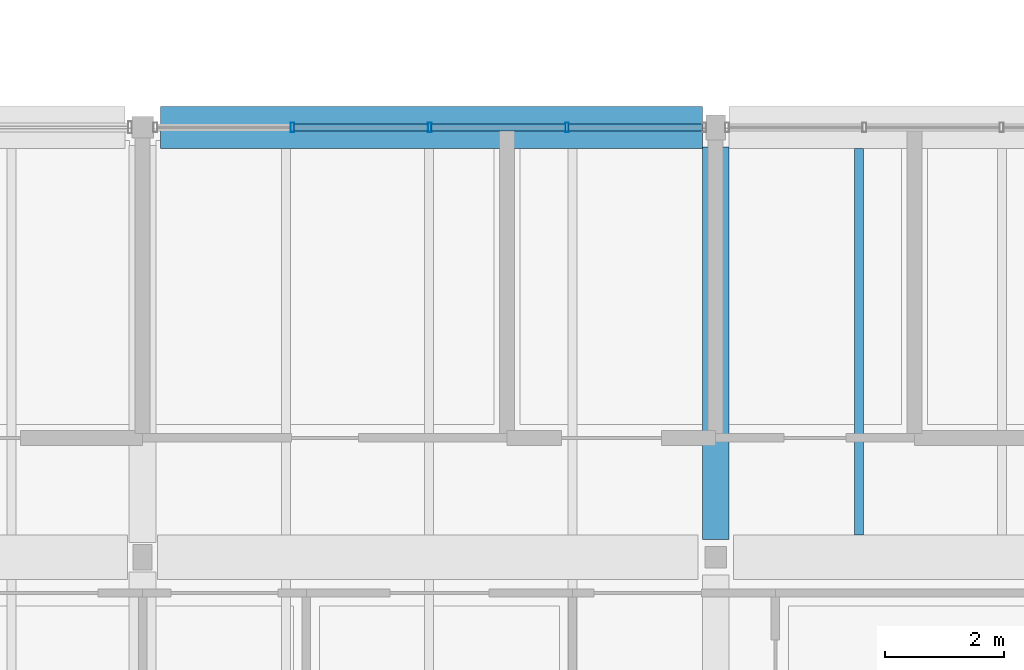
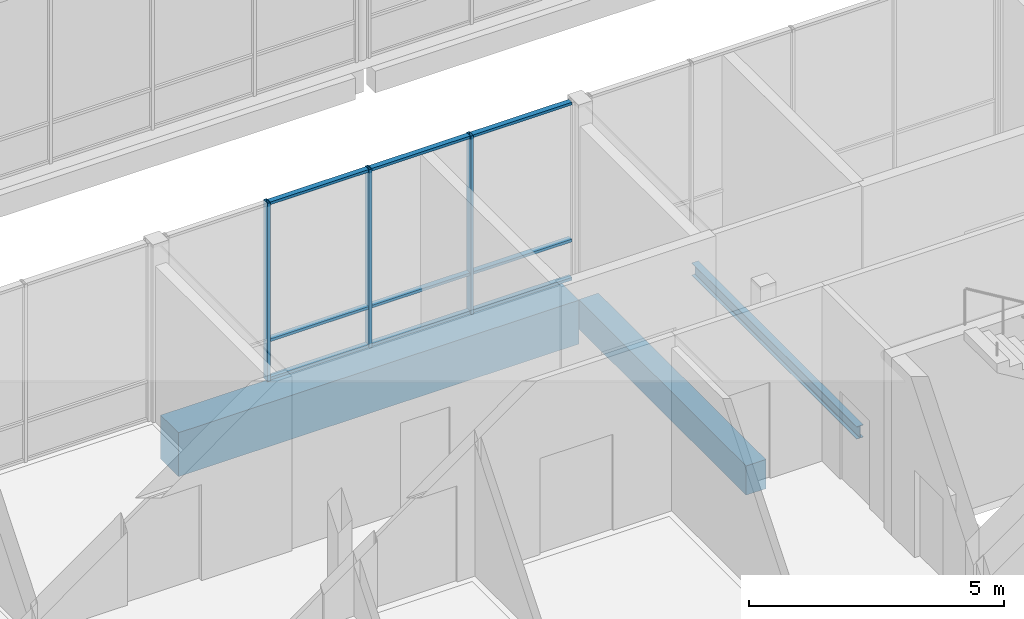
# One storey, part 62 of 146: 12 members, 3 beams, 1 element without a shape of its own.
"""IFC4 building model written with IfcOpenShell, lengths in metres."""

import ifcopenshell
import ifcopenshell.guid

model = None  # the IFC model being written
_history = None  # IfcOwnerHistory: only IFC2X3 demands one
_inside = {}  # id of a spatial element -> (the spatial element, [elements in it])
_under = {}  # id of a project, library or spatial element -> (it, [spatial elements below it])
_declared = {}  # id of a project -> (the project, [libraries it declares])
_typed = {}  # id of a type object -> (the type object, [elements of that type])
_made_of = {}  # id of a material, layer set ... -> (it, [elements and type objects made of it])


def new_model(schema):
    """Start an empty IFC model of exactly this schema.

    Asked for "IFC4X3", IfcOpenShell would pick the latest addendum, in which some entities
    have other attributes; the version numbers below select the first issue.
    IFC2X3 requires an IfcOwnerHistory on every rooted entity: one is made here for all.
    """
    global model, _history
    if schema == "IFC4X3":
        model = ifcopenshell.file(schema_version=(4, 3, 0, 0))
    else:
        model = ifcopenshell.file(schema=schema)
    _inside.clear()
    _under.clear()
    _declared.clear()
    _typed.clear()
    _made_of.clear()
    _history = None
    if model.schema == "IFC2X3":
        org = make("IfcOrganization", Name="unknown")
        user = make(
            "IfcPersonAndOrganization",
            ThePerson=make("IfcPerson", FamilyName="unknown"),
            TheOrganization=org,
        )
        app = make(
            "IfcApplication",
            ApplicationDeveloper=org,
            Version="unknown",
            ApplicationFullName="unknown",
            ApplicationIdentifier="unknown",
        )
        _history = make(
            "IfcOwnerHistory",
            OwningUser=user,
            OwningApplication=app,
            ChangeAction="ADDED",
            CreationDate=0,
        )
    return model


def make(cls, **values):
    """One entity of the class cls with the attributes given. An attribute that is None is left unset."""
    return model.create_entity(
        cls, **{name: value for name, value in values.items() if value is not None}
    )


def rooted(cls, **values):
    """An entity with a GlobalId (a new one), such as an element, a storey or a relation."""
    return make(cls, GlobalId=ifcopenshell.guid.new(), OwnerHistory=_history, **values)


def si_unit(unit_type, name, prefix=None):
    """IfcSIUnit, for example si_unit("LENGTHUNIT", "METRE", prefix="MILLI")."""
    return make("IfcSIUnit", UnitType=unit_type, Prefix=prefix, Name=name)


def assignment(units):
    """IfcUnitAssignment: the units of a project."""
    return None if units is None else make("IfcUnitAssignment", Units=units)


def point(xyz):
    """IfcCartesianPoint."""
    return None if xyz is None else make("IfcCartesianPoint", Coordinates=xyz)


def direction(xyz):
    """IfcDirection."""
    return None if xyz is None else make("IfcDirection", DirectionRatios=xyz)


def frame(location, z_axis=None, x_axis=None):
    """IfcAxis2Placement3D, a coordinate frame: its origin and axes. An axis left out is left unset."""
    return make(
        "IfcAxis2Placement3D",
        Location=point(location),
        Axis=direction(z_axis),
        RefDirection=direction(x_axis),
    )


def frame_2d(location, x_axis=None):
    """IfcAxis2Placement2D, a coordinate frame in the plane: its origin and x axis."""
    return make(
        "IfcAxis2Placement2D", Location=point(location), RefDirection=direction(x_axis)
    )


def origin():
    """The frame at (0, 0, 0) with its axes left unset."""
    return frame((0.0, 0.0, 0.0))


def origin_2d():
    """The frame at (0, 0) in the plane with its x axis left unset."""
    return frame_2d((0.0, 0.0))


def place(relative_to, where):
    """IfcLocalPlacement: puts the frame where relative to a parent placement (None: the world)."""
    return make(
        "IfcLocalPlacement", PlacementRelTo=relative_to, RelativePlacement=where
    )


def context(
    kind, dimensions, precision=None, world=None, true_north=None, identifier=None
):
    """IfcGeometricRepresentationContext, for example the 3D "Model" context."""
    return make(
        "IfcGeometricRepresentationContext",
        ContextIdentifier=identifier,
        ContextType=kind,
        CoordinateSpaceDimension=dimensions,
        Precision=precision,
        WorldCoordinateSystem=world,
        TrueNorth=true_north,
    )


def subcontext(parent, identifier, kind, view, scale=None):
    """IfcGeometricRepresentationSubContext, for example "Body" below "Model"."""
    return make(
        "IfcGeometricRepresentationSubContext",
        ContextIdentifier=identifier,
        ContextType=kind,
        ParentContext=parent,
        TargetScale=scale,
        TargetView=view,
    )


def project(units=None, contexts=None):
    """IfcProject with its units and contexts."""
    return rooted(
        "IfcProject",
        Name="project",
        RepresentationContexts=contexts,
        UnitsInContext=assignment(units),
    )


def spatial(cls, under=None, at=None, **own):
    """A site, building, storey or space (cls), placed at a placement, below another one or the project."""
    s = rooted(cls, ObjectPlacement=at, **own)
    if under is not None:
        _under.setdefault(under.id(), (under, []))[1].append(s)
    return s


def profile(cls, at=None, kind="AREA", **sizes):
    """A parametric profile (cls). Its sizes go by their IFC names, for example OverallWidth=200.0."""
    return make(cls, ProfileType=kind, Position=at, **sizes)


def rectangle(**sizes):
    """IfcRectangleProfileDef."""
    return profile("IfcRectangleProfileDef", **sizes)


def hollow_rectangle(**sizes):
    """IfcRectangleHollowProfileDef."""
    return profile("IfcRectangleHollowProfileDef", **sizes)


def i_section(**sizes):
    """IfcIShapeProfileDef."""
    return profile("IfcIShapeProfileDef", **sizes)


def extrude(swept, where, along, depth):
    """IfcExtrudedAreaSolid: the profile swept, set in the frame where, extruded along a direction by depth."""
    return make(
        "IfcExtrudedAreaSolid",
        SweptArea=swept,
        Position=where,
        ExtrudedDirection=direction(along),
        Depth=depth,
    )


def shape(context_of_items, identifier, shape_type, items):
    """IfcShapeRepresentation: the items that make up one representation, for example the "Body"."""
    return make(
        "IfcShapeRepresentation",
        ContextOfItems=context_of_items,
        RepresentationIdentifier=identifier,
        RepresentationType=shape_type,
        Items=items,
    )


def material(Name=None, Category=None):
    """IfcMaterial."""
    return make("IfcMaterial", Name=Name, Category=Category)


def material_profile(
    of_material, cross_section, Name=None, Category=None, Priority=None
):
    """IfcMaterialProfile: a cross section and its material."""
    return make(
        "IfcMaterialProfile",
        Name=Name,
        Material=of_material,
        Profile=cross_section,
        Priority=Priority,
        Category=Category,
    )


def profile_set(profiles, Name=None, composite=None):
    """IfcMaterialProfileSet."""
    return make(
        "IfcMaterialProfileSet",
        Name=Name,
        MaterialProfiles=profiles,
        CompositeProfile=composite,
    )


def made_of(thing, what):
    """Note that an element or type object is made of a material, layer set ...; save() writes the relation."""
    if what is not None:
        _made_of.setdefault(what.id(), (what, []))[1].append(thing)
    return thing


def type_object(cls, material=None, **own):
    """A type object (cls), such as IfcWallType, which elements share."""
    return made_of(rooted(cls, **own), material)


def element(
    cls,
    number,
    at=None,
    inside=None,
    cuts=None,
    type_object=None,
    material=None,
    context=None,
    identifier="Body",
    shape_type=None,
    held_by="IfcProductDefinitionShape",
    body=None,
    shapes=None,
    **own,
):
    """One element of the class cls, such as IfcWall. Its Tag is "e" and its number.

    at: its placement. inside: the storey or other place that contains it. cuts: it is an
    opening in that element (IfcRelVoidsElement). A single representation is given by context,
    identifier, shape_type and body (its items); several are given by shapes. held_by: the class
    of the entity that holds the representations. save() writes the other relations.
    """
    e = rooted(cls, Tag="e%d" % number, ObjectPlacement=at, **own)
    if body is not None:
        shapes = [shape(context, identifier, shape_type, body)]
    if shapes is not None:
        e.Representation = make(held_by, Representations=shapes)
    if inside is not None:
        _inside.setdefault(inside.id(), (inside, []))[1].append(e)
    if cuts is not None:
        rooted(
            "IfcRelVoidsElement", RelatingBuildingElement=cuts, RelatedOpeningElement=e
        )
    if type_object is not None:
        _typed.setdefault(type_object.id(), (type_object, []))[1].append(e)
    return made_of(e, material)


def aggregate(whole, parts):
    """IfcRelAggregates: a whole, such as a stair, and the parts it consists of."""
    return rooted("IfcRelAggregates", RelatingObject=whole, RelatedObjects=parts)


def save(model, path):
    """Write the relations noted so far, then the file.

    IfcRelAggregates (storeys below a building ...), IfcRelContainedInSpatialStructure (elements
    in a storey), IfcRelDefinesByType, IfcRelAssociatesMaterial and IfcRelDeclares: one each for
    every whole, place, type object, material and project.
    """
    for whole, parts in _under.values():
        aggregate(whole, parts)
    for where, things in _inside.values():
        rooted(
            "IfcRelContainedInSpatialStructure",
            RelatedElements=things,
            RelatingStructure=where,
        )
    for kind, things in _typed.values():
        rooted("IfcRelDefinesByType", RelatedObjects=things, RelatingType=kind)
    for what, things in _made_of.values():
        rooted("IfcRelAssociatesMaterial", RelatedObjects=things, RelatingMaterial=what)
    for by, libraries in _declared.values():
        rooted("IfcRelDeclares", RelatingContext=by, RelatedDefinitions=libraries)
    model.write(path)


model = new_model("IFC4")

# Units and contexts
model_context = context("Model", 3, precision=1e-05, world=origin(), true_north=direction((0.0, 1.0)))
body_context = subcontext(model_context, "Body", "Model", "MODEL_VIEW")
ifc_project = project(units=[si_unit("LENGTHUNIT", "METRE"), si_unit("AREAUNIT", "SQUARE_METRE"), si_unit("VOLUMEUNIT", "CUBIC_METRE"), si_unit("PLANEANGLEUNIT", "RADIAN"), si_unit("MASSUNIT", "GRAM", prefix="KILO")], contexts=[model_context])

# Site, building, storey
site_placement = place(None, origin())
site = spatial("IfcSite", under=ifc_project, at=site_placement, CompositionType="ELEMENT")
building_placement = place(site_placement, origin())
building = spatial("IfcBuilding", under=site, at=building_placement, Name="Hawrajan Terrace Health Centre", CompositionType="ELEMENT")
storey_placement = place(building_placement, frame((0.0, 0.0, 4.5)))
storey = spatial("IfcBuildingStorey", under=building, at=storey_placement, Name="L01", CompositionType="ELEMENT", Elevation=4.5)

# Curtain wall, members
ifc_material_1 = material(Name="Anodized bronze aluminium and low-E solar glazing", Category="aluminium")
curtain_wall_type = type_object("IfcCurtainWallType", Name="CW_Terrace_SeriesK1", PredefinedType="USERDEFINED", material=ifc_material_1)
curtain_wall_placement = place(storey_placement, origin())
curtain_wall = element("IfcCurtainWall", 1, at=curtain_wall_placement, inside=storey, type_object=curtain_wall_type, Name="Curtain wall CW-L01-093", ObjectType="UNITISED CURTAIN WALL", PredefinedType="USERDEFINED")
ifc_material_2 = material(Name="Anodized bronze aluminium 6063-T6", Category="aluminium")
ifc_material_profile_1 = material_profile(ifc_material_2, hollow_rectangle(XDim=0.06494140625, YDim=0.159912109375, WallThickness=0.00390625, at=origin_2d()), Name="CW MUL 65x160")
ifc_profile_set_1 = profile_set([ifc_material_profile_1], Name="Anodized bronze aluminium 6063-T6")
member_type_1 = type_object("IfcMemberType", Name="CWMullion_65x160", PredefinedType="MULLION", material=ifc_profile_set_1)
member_1_placement = place(storey_placement, frame((83.9111328125, 18.60009765625, -0.0048828125), z_axis=(0.0, 0.0, 1.0), x_axis=(1.0, 0.0, 0.0)))
member_1 = element("IfcMember", 2, at=member_1_placement, type_object=member_type_1, Name="Mullion CW-L01-093-M2", PredefinedType="MULLION", context=body_context, shape_type="SweptSolid", body=[
    extrude(hollow_rectangle(XDim=0.06494140625, YDim=0.159912109375, WallThickness=0.00390625, at=origin_2d()), origin(), (0.0, 0.0, 1.0), 4.269775390625),
])
member_2_placement = place(storey_placement, frame((86.2099609375, 18.60009765625, -0.0048828125), z_axis=(0.0, 0.0, 1.0), x_axis=(1.0, 0.0, 0.0)))
member_2 = element("IfcMember", 3, at=member_2_placement, type_object=member_type_1, Name="Mullion CW-L01-093-M3", PredefinedType="MULLION", context=body_context, shape_type="SweptSolid", body=[
    extrude(hollow_rectangle(XDim=0.06494140625, YDim=0.159912109375, WallThickness=0.00390625, at=origin_2d()), origin(), (0.0, 0.0, 1.0), 4.269775390625),
])
member_3_placement = place(storey_placement, frame((88.5087890625, 18.60009765625, -0.0048828125), z_axis=(0.0, 0.0, 1.0), x_axis=(1.0, 0.0, 0.0)))
member_3 = element("IfcMember", 4, at=member_3_placement, type_object=member_type_1, Name="Mullion CW-L01-093-M4", PredefinedType="MULLION", context=body_context, shape_type="SweptSolid", body=[
    extrude(hollow_rectangle(XDim=0.06494140625, YDim=0.159912109375, WallThickness=0.00390625, at=origin_2d()), origin(), (0.0, 0.0, 1.0), 4.269775390625),
])
ifc_material_profile_2 = material_profile(ifc_material_2, hollow_rectangle(XDim=0.06494140625, YDim=0.1201171875, WallThickness=0.00341796875, at=origin_2d()), Name="CW TRN 65x120")
ifc_profile_set_2 = profile_set([ifc_material_profile_2], Name="Anodized bronze aluminium 6063-T6")
member_type_2 = type_object("IfcMemberType", Name="CWTransom_65x120", PredefinedType="USERDEFINED", material=ifc_profile_set_2)
member_4_placement = place(storey_placement, frame((83.937744140625, 18.60009765625, 0.032470703125), z_axis=(1.0, 0.0, 0.0), x_axis=(0.0, 0.0, 1.0)))
member_4 = element("IfcMember", 5, at=member_4_placement, type_object=member_type_2, Name="Transom CW-L01-093-T2-1", ObjectType="TRANSOM", PredefinedType="USERDEFINED", context=body_context, shape_type="SweptSolid", body=[
    extrude(hollow_rectangle(XDim=0.06494140625, YDim=0.1201171875, WallThickness=0.00341796875, at=origin_2d()), origin(), (0.0, 0.0, 1.0), 2.245849609375),
])
member_5_placement = place(storey_placement, frame((83.937744140625, 18.60009765625, 0.949951171875), z_axis=(1.0, 0.0, 0.0), x_axis=(0.0, 0.0, 1.0)))
member_5 = element("IfcMember", 6, at=member_5_placement, type_object=member_type_2, Name="Transom CW-L01-093-T2-2", ObjectType="TRANSOM", PredefinedType="USERDEFINED", context=body_context, shape_type="SweptSolid", body=[
    extrude(hollow_rectangle(XDim=0.06494140625, YDim=0.1201171875, WallThickness=0.00341796875, at=origin_2d()), origin(), (0.0, 0.0, 1.0), 2.245849609375),
])
member_6_placement = place(storey_placement, frame((83.937744140625, 18.60009765625, 4.2275390625), z_axis=(1.0, 0.0, 0.0), x_axis=(0.0, 0.0, 1.0)))
member_6 = element("IfcMember", 7, at=member_6_placement, type_object=member_type_2, Name="Transom CW-L01-093-T2-3", ObjectType="TRANSOM", PredefinedType="USERDEFINED", context=body_context, shape_type="SweptSolid", body=[
    extrude(hollow_rectangle(XDim=0.06494140625, YDim=0.1201171875, WallThickness=0.00341796875, at=origin_2d()), origin(), (0.0, 0.0, 1.0), 2.245849609375),
])
member_7_placement = place(storey_placement, frame((86.236572265625, 18.60009765625, 0.032470703125), z_axis=(1.0, 0.0, 0.0), x_axis=(0.0, 0.0, 1.0)))
member_7 = element("IfcMember", 8, at=member_7_placement, type_object=member_type_2, Name="Transom CW-L01-093-T3-1", ObjectType="TRANSOM", PredefinedType="USERDEFINED", context=body_context, shape_type="SweptSolid", body=[
    extrude(hollow_rectangle(XDim=0.06494140625, YDim=0.1201171875, WallThickness=0.00341796875, at=origin_2d()), origin(), (0.0, 0.0, 1.0), 2.245849609375),
])
member_8_placement = place(storey_placement, frame((86.236572265625, 18.60009765625, 0.949951171875), z_axis=(1.0, 0.0, 0.0), x_axis=(0.0, 0.0, 1.0)))
member_8 = element("IfcMember", 9, at=member_8_placement, type_object=member_type_2, Name="Transom CW-L01-093-T3-2", ObjectType="TRANSOM", PredefinedType="USERDEFINED", context=body_context, shape_type="SweptSolid", body=[
    extrude(hollow_rectangle(XDim=0.06494140625, YDim=0.1201171875, WallThickness=0.00341796875, at=origin_2d()), origin(), (0.0, 0.0, 1.0), 2.245849609375),
])
member_9_placement = place(storey_placement, frame((86.236572265625, 18.60009765625, 4.2275390625), z_axis=(1.0, 0.0, 0.0), x_axis=(0.0, 0.0, 1.0)))
member_9 = element("IfcMember", 10, at=member_9_placement, type_object=member_type_2, Name="Transom CW-L01-093-T3-3", ObjectType="TRANSOM", PredefinedType="USERDEFINED", context=body_context, shape_type="SweptSolid", body=[
    extrude(hollow_rectangle(XDim=0.06494140625, YDim=0.1201171875, WallThickness=0.00341796875, at=origin_2d()), origin(), (0.0, 0.0, 1.0), 2.245849609375),
])
member_10_placement = place(storey_placement, frame((88.535400390625, 18.60009765625, 0.032470703125), z_axis=(1.0, 0.0, 0.0), x_axis=(0.0, 0.0, 1.0)))
member_10 = element("IfcMember", 11, at=member_10_placement, type_object=member_type_2, Name="Transom CW-L01-093-T4-1", ObjectType="TRANSOM", PredefinedType="USERDEFINED", context=body_context, shape_type="SweptSolid", body=[
    extrude(hollow_rectangle(XDim=0.06494140625, YDim=0.1201171875, WallThickness=0.00341796875, at=origin_2d()), origin(), (0.0, 0.0, 1.0), 2.24560546875),
])
member_11_placement = place(storey_placement, frame((88.535400390625, 18.60009765625, 0.949951171875), z_axis=(1.0, 0.0, 0.0), x_axis=(0.0, 0.0, 1.0)))
member_11 = element("IfcMember", 12, at=member_11_placement, type_object=member_type_2, Name="Transom CW-L01-093-T4-2", ObjectType="TRANSOM", PredefinedType="USERDEFINED", context=body_context, shape_type="SweptSolid", body=[
    extrude(hollow_rectangle(XDim=0.06494140625, YDim=0.1201171875, WallThickness=0.00341796875, at=origin_2d()), origin(), (0.0, 0.0, 1.0), 2.24560546875),
])
member_12_placement = place(storey_placement, frame((88.535400390625, 18.60009765625, 4.2275390625), z_axis=(1.0, 0.0, 0.0), x_axis=(0.0, 0.0, 1.0)))
member_12 = element("IfcMember", 13, at=member_12_placement, type_object=member_type_2, Name="Transom CW-L01-093-T4-3", ObjectType="TRANSOM", PredefinedType="USERDEFINED", context=body_context, shape_type="SweptSolid", body=[
    extrude(hollow_rectangle(XDim=0.06494140625, YDim=0.1201171875, WallThickness=0.00341796875, at=origin_2d()), origin(), (0.0, 0.0, 1.0), 2.24560546875),
])
aggregate(curtain_wall, [member_1, member_2, member_3, member_4, member_5, member_6, member_7, member_8, member_9, member_10, member_11, member_12])

# Beams
ifc_material_3 = material(Name="Concrete C40/50", Category="concrete")
ifc_material_profile_3 = material_profile(ifc_material_3, rectangle(XDim=0.449951171875, YDim=0.699951171875, at=origin_2d()), Name="RC BM 450x700")
ifc_profile_set_3 = profile_set([ifc_material_profile_3], Name="Concrete C40/50")
beam_type_1 = type_object("IfcBeamType", Name="RCGirder_450x700", PredefinedType="BEAM", material=ifc_profile_set_3)
beam_1_placement = place(storey_placement, frame((91.0, 11.699951171875, -0.64990234375), z_axis=(0.0, 1.0, 0.0), x_axis=(-1.0, 0.0, 0.0)))
element("IfcBeam", 14, at=beam_1_placement, inside=storey, type_object=beam_type_1, Name="Beam BM-Y-L01-C-X12-2", PredefinedType="BEAM", context=body_context, shape_type="SweptSolid", body=[
    extrude(rectangle(XDim=0.449951171875, YDim=0.699951171875, at=origin_2d()), origin(), (0.0, 0.0, 1.0), 6.574951171875),
])
ifc_material_profile_4 = material_profile(ifc_material_3, rectangle(XDim=0.699951171875, YDim=1.050048828125, at=origin_2d()), Name="RC TG 700x1050")
ifc_profile_set_4 = profile_set([ifc_material_profile_4], Name="Concrete C40/50")
beam_type_2 = type_object("IfcBeamType", Name="RCTransferGirder_700x1050", PredefinedType="BEAM", material=ifc_profile_set_4)
beam_2_placement = place(storey_placement, frame((81.699951171875, 18.60009765625, -0.824951171875), z_axis=(1.0, 0.0, 0.0), x_axis=(0.0, 1.0, 0.0)))
element("IfcBeam", 15, at=beam_2_placement, inside=storey, type_object=beam_type_2, Name="Beam BM-X-L01-C-11-Y3", PredefinedType="BEAM", context=body_context, shape_type="SweptSolid", body=[
    extrude(rectangle(XDim=0.699951171875, YDim=1.050048828125, at=origin_2d()), origin(), (0.0, 0.0, 1.0), 9.074951171875),
])
ifc_material_4 = material(Name="Steel S355", Category="steel")
ifc_material_profile_5 = material_profile(ifc_material_4, i_section(OverallWidth=0.14990234375, OverallDepth=0.300048828125, WebThickness=0.007080078125, FlangeThickness=0.0107421875, FilletRadius=0.014892578125, at=origin_2d()), Name="IPE 300")
ifc_profile_set_5 = profile_set([ifc_material_profile_5], Name="Steel S355")
beam_type_3 = type_object("IfcBeamType", Name="SteelBeam_IPE300", PredefinedType="JOIST", material=ifc_profile_set_5)
beam_3_placement = place(storey_placement, frame((93.39990234375, 11.77490234375, -0.449951171875), z_axis=(0.0, 1.0, 0.0), x_axis=(-1.0, 0.0, 0.0)))
element("IfcBeam", 16, at=beam_3_placement, inside=storey, type_object=beam_type_3, Name="Secondary joist JST-L01-C-12-2-1", PredefinedType="JOIST", context=body_context, shape_type="SweptSolid", body=[
    extrude(i_section(OverallWidth=0.14990234375, OverallDepth=0.300048828125, WebThickness=0.007080078125, FlangeThickness=0.0107421875, FilletRadius=0.014892578125, at=origin_2d()), origin(), (0.0, 0.0, 1.0), 6.47509765625),
])

save(model, "model.ifc")
